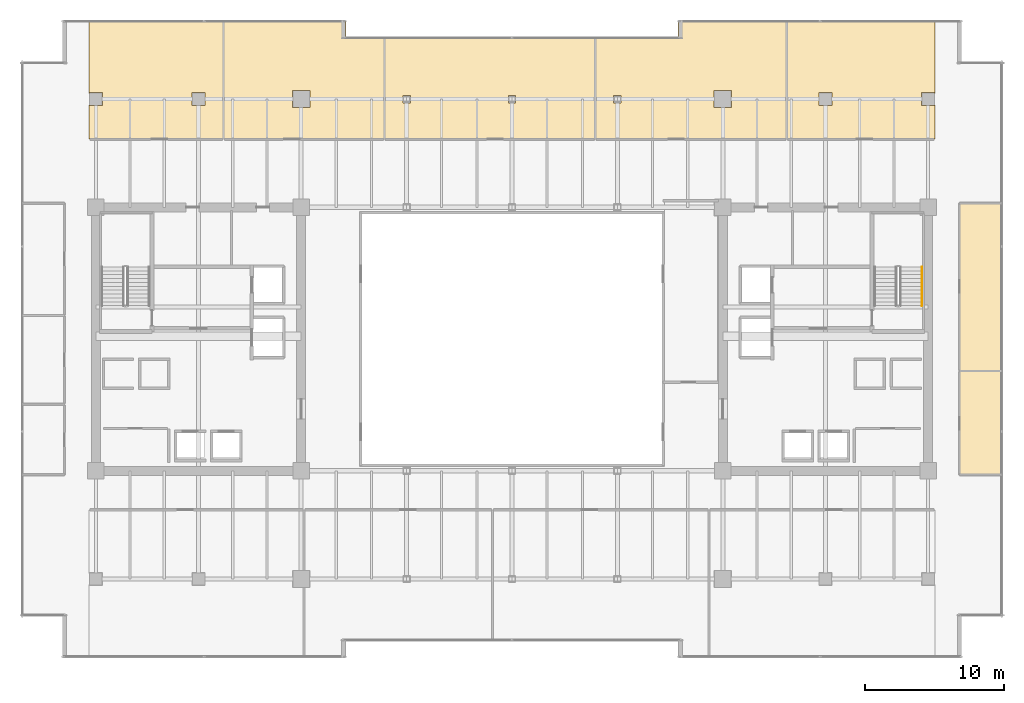
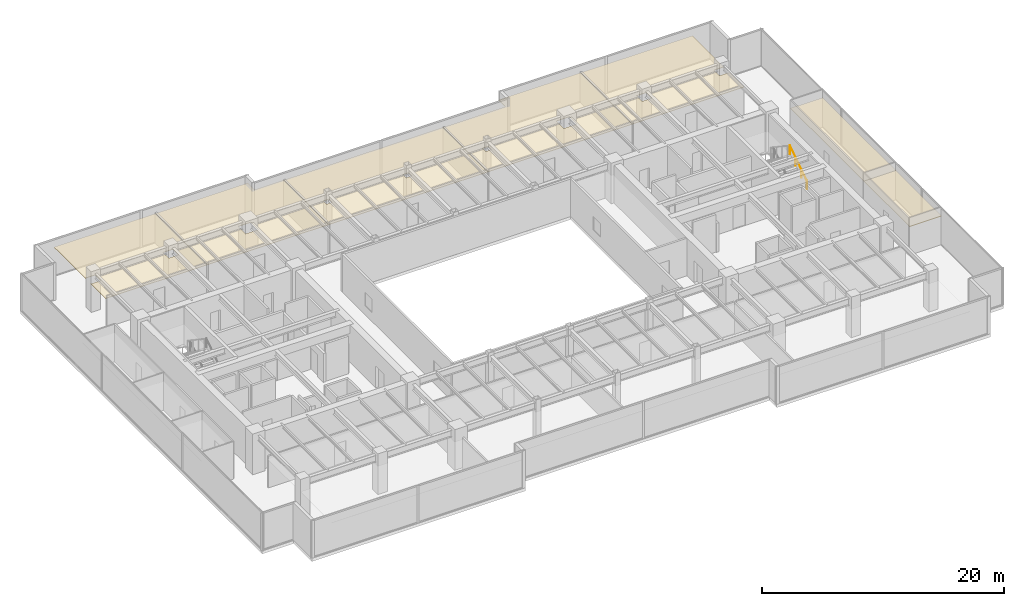
# One storey, part 34 of 34: 7 coverings, 1 railing.
"""IFC4 building model written with IfcOpenShell, lengths in metres."""

from ifc_helpers import new_model, si_unit, direction, frame, origin, origin_2d, place, context, subcontext, project, spatial, polyline, circle, outline, extrude, source, transform, mapped, material, layer, layer_set, type_object, type_shapes, element, save


model = new_model("IFC4")

# Units and contexts
model_context = context("Model", 3, precision=1e-05, world=origin(), true_north=direction((0.0, 1.0)))
body_context = subcontext(model_context, "Body", "Model", "MODEL_VIEW")
ifc_project = project(units=[si_unit("LENGTHUNIT", "METRE"), si_unit("AREAUNIT", "SQUARE_METRE"), si_unit("VOLUMEUNIT", "CUBIC_METRE"), si_unit("PLANEANGLEUNIT", "RADIAN"), si_unit("MASSUNIT", "GRAM", prefix="KILO")], contexts=[model_context])

# Site, building, storey
site_placement = place(None, origin())
site = spatial("IfcSite", under=ifc_project, at=site_placement, CompositionType="ELEMENT")
building_placement = place(site_placement, origin())
building = spatial("IfcBuilding", under=site, at=building_placement, Name="Haelvirn Gate Laboratories", CompositionType="ELEMENT")
storey_placement = place(building_placement, frame((0.0, 0.0, 178.89990234375)))
storey = spatial("IfcBuildingStorey", under=building, at=storey_placement, Name="L43", CompositionType="ELEMENT", Elevation=178.89990234375)

# Coverings
ifc_material_1 = material(Name="Washable cleanroom gasketed aluminium ceiling", Category="aluminium")
ifc_layer = layer(ifc_material_1, 0.050048828125, Name="COV-CEIL-CLN")
ifc_layer_set = layer_set([ifc_layer], Name="Washable cleanroom gasketed aluminium ceiling")
covering_type = type_object("IfcCoveringType", Name="COV-CEIL-CLN", PredefinedType="CEILING", material=ifc_layer_set)
covering_1_placement = place(storey_placement, frame((0.0, 0.0, 2.860107421875)))
element("IfcCovering", 1, at=covering_1_placement, inside=storey, type_object=covering_type, Name="L43 Laboratory Acoustic Ceiling CEIL-SP-L43-N-01", PredefinedType="CEILING", context=body_context, shape_type="SweptSolid", body=[
    extrude(outline(polyline([(6.919921875, 41.18994140625), (6.929931640625, 41.18994140625), (6.929931640625, 41.1298828125), (7.8701171875, 41.1298828125), (7.8701171875, 42.070068359375), (6.929931640625, 42.070068359375), (6.929931640625, 42.010009765625), (6.919921875, 42.010009765625), (6.919921875, 47.25), (16.580078125, 47.25), (16.580078125, 38.715087890625), (6.919921875, 38.715087890625), (6.919921875, 41.18994140625)]), holes=[polyline([(14.330078125, 42.070068359375), (14.330078125, 41.1298828125), (15.27001953125, 41.1298828125), (15.27001953125, 42.070068359375), (14.330078125, 42.070068359375)])]), origin(), (0.0, 0.0, 1.0), 0.050048828125),
])
covering_2_placement = place(storey_placement, frame((0.0, 0.0, 2.860107421875)))
element("IfcCovering", 2, at=covering_2_placement, inside=storey, type_object=covering_type, Name="L43 Laboratory Acoustic Ceiling CEIL-SP-L43-N-02", PredefinedType="CEILING", context=body_context, shape_type="SweptSolid", body=[
    extrude(outline(polyline([(25.419921875, 47.25), (25.419921875, 46.1201171875), (28.179931640625, 46.1201171875), (28.179931640625, 38.715087890625), (16.6201171875, 38.715087890625), (16.6201171875, 47.25), (25.419921875, 47.25)]), holes=[polyline([(22.820068359375, 42.219970703125), (21.580078125, 42.219970703125), (21.580078125, 40.97998046875), (22.820068359375, 40.97998046875), (22.820068359375, 42.219970703125)])]), origin(), (0.0, 0.0, 1.0), 0.050048828125),
])
covering_3_placement = place(storey_placement, frame((0.0, 0.0, 2.860107421875)))
element("IfcCovering", 3, at=covering_3_placement, inside=storey, type_object=covering_type, Name="L43 Laboratory Acoustic Ceiling CEIL-SP-L43-N-03", PredefinedType="CEILING", context=body_context, shape_type="SweptSolid", body=[
    extrude(outline(polyline([(28.219970703125, 38.715087890625), (28.219970703125, 46.1201171875), (43.3798828125, 46.1201171875), (43.3798828125, 38.715087890625), (28.219970703125, 38.715087890625)]), holes=[polyline([(29.530029296875, 41.8701171875), (29.530029296875, 41.330078125), (30.070068359375, 41.330078125), (30.070068359375, 41.8701171875), (29.530029296875, 41.8701171875)]), polyline([(37.669921875, 41.8701171875), (37.1298828125, 41.8701171875), (37.1298828125, 41.330078125), (37.669921875, 41.330078125), (37.669921875, 41.8701171875)])]), origin(), (0.0, 0.0, 1.0), 0.050048828125),
])
covering_4_placement = place(storey_placement, frame((0.0, 0.0, 2.860107421875)))
element("IfcCovering", 4, at=covering_4_placement, inside=storey, type_object=covering_type, Name="L43 Laboratory Acoustic Ceiling CEIL-SP-L43-N-04", PredefinedType="CEILING", context=body_context, shape_type="SweptSolid", body=[
    extrude(outline(polyline([(49.3798828125, 47.25), (57.179931640625, 47.25), (57.179931640625, 38.715087890625), (43.419921875, 38.715087890625), (43.419921875, 46.1201171875), (49.3798828125, 46.1201171875), (49.3798828125, 47.25)]), holes=[polyline([(51.97998046875, 42.219970703125), (51.97998046875, 40.97998046875), (53.219970703125, 40.97998046875), (53.219970703125, 42.219970703125), (51.97998046875, 42.219970703125)]), polyline([(45.27001953125, 41.8701171875), (44.72998046875, 41.8701171875), (44.72998046875, 41.330078125), (45.27001953125, 41.330078125), (45.27001953125, 41.8701171875)])]), origin(), (0.0, 0.0, 1.0), 0.050048828125),
])
covering_5_placement = place(storey_placement, frame((0.0, 0.0, 2.860107421875)))
element("IfcCovering", 5, at=covering_5_placement, inside=storey, type_object=covering_type, Name="L43 Laboratory Acoustic Ceiling CEIL-SP-L43-N-05", PredefinedType="CEILING", context=body_context, shape_type="SweptSolid", body=[
    extrude(outline(polyline([(67.8798828125, 41.18994140625), (67.8798828125, 38.715087890625), (57.219970703125, 38.715087890625), (57.219970703125, 47.25), (67.8798828125, 47.25), (67.8798828125, 42.010009765625), (67.8701171875, 42.010009765625), (67.8701171875, 42.070068359375), (66.929931640625, 42.070068359375), (66.929931640625, 41.1298828125), (67.8701171875, 41.1298828125), (67.8701171875, 41.18994140625), (67.8798828125, 41.18994140625)]), holes=[polyline([(59.530029296875, 42.070068359375), (59.530029296875, 41.1298828125), (60.469970703125, 41.1298828125), (60.469970703125, 42.070068359375), (59.530029296875, 42.070068359375)])]), origin(), (0.0, 0.0, 1.0), 0.050048828125),
])
covering_6_placement = place(storey_placement, frame((0.0, 0.0, 2.860107421875)))
element("IfcCovering", 6, at=covering_6_placement, inside=storey, type_object=covering_type, Name="L43 Laboratory Acoustic Ceiling CEIL-SP-L43-ECELL-01", PredefinedType="CEILING", context=body_context, shape_type="SweptSolid", body=[
    extrude(outline(polyline([(69.679931640625, 22.0), (72.75, 22.0), (72.75, 14.455078125), (69.679931640625, 14.455078125), (69.679931640625, 22.0)])), origin(), (0.0, 0.0, 1.0), 0.050048828125),
])
covering_7_placement = place(storey_placement, frame((0.0, 0.0, 2.860107421875)))
element("IfcCovering", 7, at=covering_7_placement, inside=storey, type_object=covering_type, Name="L43 Laboratory Acoustic Ceiling CEIL-SP-L43-ECELL-02", PredefinedType="CEILING", context=body_context, shape_type="SweptSolid", body=[
    extrude(outline(polyline([(69.679931640625, 34.14501953125), (72.75, 34.14501953125), (72.75, 22.0), (69.679931640625, 22.0), (69.679931640625, 34.14501953125)])), origin(), (0.0, 0.0, 1.0), 0.050048828125),
])

# Railing
ifc_material_2 = material(Name="Brushed stainless steel 316L", Category="steel")
railing_type = type_object("IfcRailingType", Name="RL-HAND-920", PredefinedType="HANDRAIL", material=ifc_material_2)
shared_shape = source(origin(), body_context, "Body", "SweptSolid", [
    extrude(circle(Radius=0.02392578125, at=origin_2d()), frame((0.0, 0.0, 0.8759765625), z_axis=(0.0, 0.832485552168, 0.554046753832), x_axis=(-1.0, 0.0, 0.0)), (0.0, 0.0, 1.0), 3.363525390625),
    extrude(circle(Radius=0.02099609375, at=origin_2d()), origin(), (0.0, 0.0, 1.0), 0.851806640625),
    extrude(circle(Radius=0.02099609375, at=origin_2d()), frame((0.0, 0.933349609375, 0.62109375)), (0.0, 0.0, 1.0), 0.851806640625),
    extrude(circle(Radius=0.02099609375, at=origin_2d()), frame((0.0, 1.86669921875, 1.242431640625)), (0.0, 0.0, 1.0), 0.851806640625),
    extrude(circle(Radius=0.02099609375, at=origin_2d()), frame((0.0, 2.800048828125, 1.863525390625)), (0.0, 0.0, 1.0), 0.851806640625),
])
type_shapes(railing_type, [shared_shape])
railing_placement = place(storey_placement, frame((66.949951171875, 26.699951171875, 0.1865234375)))
element("IfcRailing", 8, at=railing_placement, inside=storey, type_object=railing_type, Name="L43 ST2 stair handrail 1", PredefinedType="HANDRAIL", context=body_context, shape_type="MappedRepresentation", body=[
    mapped(shared_shape, transform((0.0, 0.0, 0.0), scale=1.0)),
])

save(model, "model.ifc")
